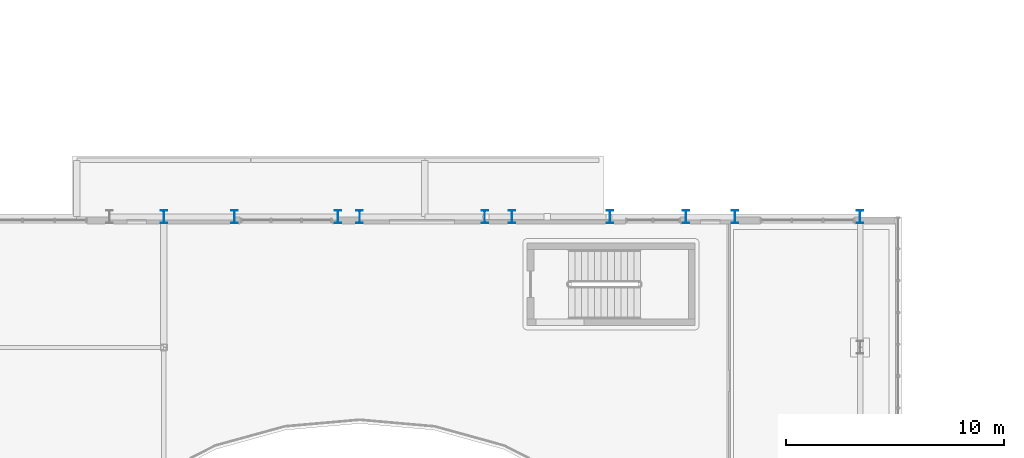
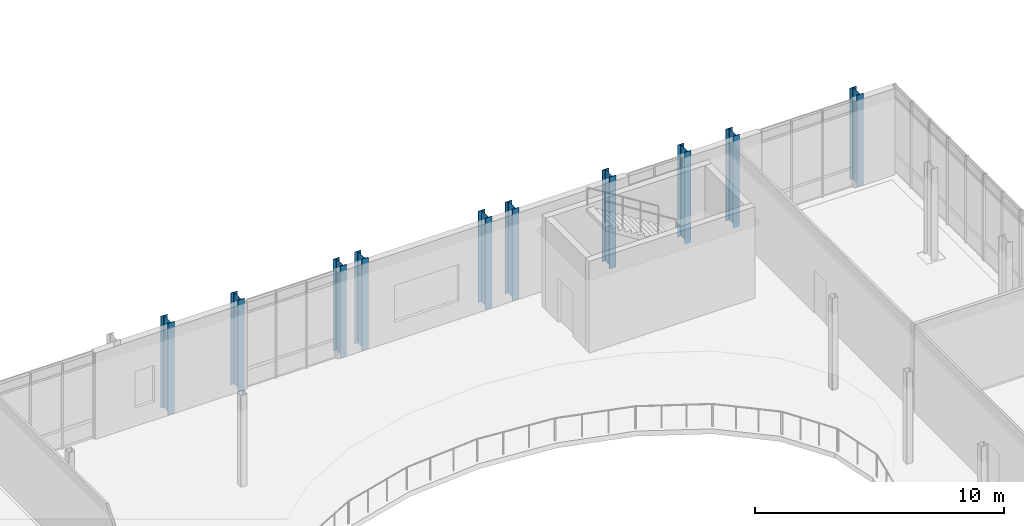
# One storey, part 7 of 100: 10 columns.
"""IFC4 building model written with IfcOpenShell, lengths in metres."""

from ifc_helpers import new_model, si_unit, direction, frame, origin, origin_2d, place, context, subcontext, project, spatial, i_section, extrude, material, material_profile, profile_set, type_object, element, save


model = new_model("IFC4")

# Units and contexts
model_context = context("Model", 3, precision=1e-05, world=origin(), true_north=direction((0.0, 1.0)))
body_context = subcontext(model_context, "Body", "Model", "MODEL_VIEW")
ifc_project = project(units=[si_unit("LENGTHUNIT", "METRE"), si_unit("AREAUNIT", "SQUARE_METRE"), si_unit("VOLUMEUNIT", "CUBIC_METRE"), si_unit("PLANEANGLEUNIT", "RADIAN"), si_unit("MASSUNIT", "GRAM", prefix="KILO")], contexts=[model_context])

# Site, building, storey
site_placement = place(None, origin())
site = spatial("IfcSite", under=ifc_project, at=site_placement, CompositionType="ELEMENT")
building_placement = place(site_placement, origin())
building = spatial("IfcBuilding", under=site, at=building_placement, Name="Cymarion Research Institute", CompositionType="ELEMENT")
storey_placement = place(building_placement, frame((0.0, 0.0, 4.800048828125)))
storey = spatial("IfcBuildingStorey", under=building, at=storey_placement, Name="L01", CompositionType="ELEMENT", Elevation=4.800048828125)

# Columns
ifc_material = material(Name="Steel S355", Category="steel")
ifc_material_profile = material_profile(ifc_material, i_section(OverallWidth=0.300048828125, OverallDepth=0.60009765625, WebThickness=0.015380859375, FlangeThickness=0.030029296875, FilletRadius=0.027099609375, at=origin_2d()), Name="HEB 600")
ifc_profile_set = profile_set([ifc_material_profile], Name="Steel S355")
column_type = type_object("IfcColumnType", Name="STRUCTURAL COLUMN C02 HEB 600", PredefinedType="COLUMN", material=ifc_profile_set)
for number, where, z_axis, x_axis, name in (
    (1, (70.60009765625, 41.5, 0.0), (0.0, 0.0, 1.0), (1.0, 0.0, 0.0), "L01 V2 column C02 #577"),
    (2, (73.85009765625, 41.5, 0.0), (0.0, 0.0, 1.0), (1.0, 0.0, 0.0), "L01 V2 column C02 #579"),
    (3, (78.60009765625, 41.5, 0.0), (0.0, 0.0, 1.0), (1.0, 0.0, 0.0), "L01 V2 column C02 #582"),
    (4, (79.60009765625, 41.5, 0.0), (0.0, 0.0, 1.0), (1.0, 0.0, 0.0), "L01 V2 column C02 #584"),
    (5, (85.35009765625, 41.5, 0.0), (0.0, 0.0, 1.0), (1.0, 0.0, 0.0), "L01 V2 column C02 #587"),
    (6, (86.60009765625, 41.5, 0.0), (0.0, 0.0, 1.0), (1.0, 0.0, 0.0), "L01 V2 column C02 #590"),
    (7, (91.10009765625, 41.5, 0.0), (0.0, 0.0, 1.0), (1.0, 0.0, 0.0), "L01 V2 column C02 #592"),
    (8, (94.60009765625, 41.5, 0.0), (0.0, 0.0, 1.0), (1.0, 0.0, 0.0), "L01 V2 column C02 #598"),
    (9, (96.85009765625, 41.5, 0.0), (0.0, 0.0, 1.0), (1.0, 0.0, 0.0), "L01 V2 column C02 #600"),
    (10, (102.60009765625, 41.5, 0.0), (0.0, 0.0, 1.0), (1.0, 0.0, 0.0), "L01 V2 column C02 #607"),
):
    element("IfcColumn", number, at=place(storey_placement, frame(where, z_axis=z_axis, x_axis=x_axis)), inside=storey, type_object=column_type, Name=name, PredefinedType="COLUMN", context=body_context, shape_type="SweptSolid", body=[
        extrude(i_section(OverallWidth=0.300048828125, OverallDepth=0.60009765625, WebThickness=0.015380859375, FlangeThickness=0.030029296875, FilletRadius=0.027099609375, at=origin_2d()), origin(), (0.0, 0.0, 1.0), 4.5),
    ])

save(model, "model.ifc")
